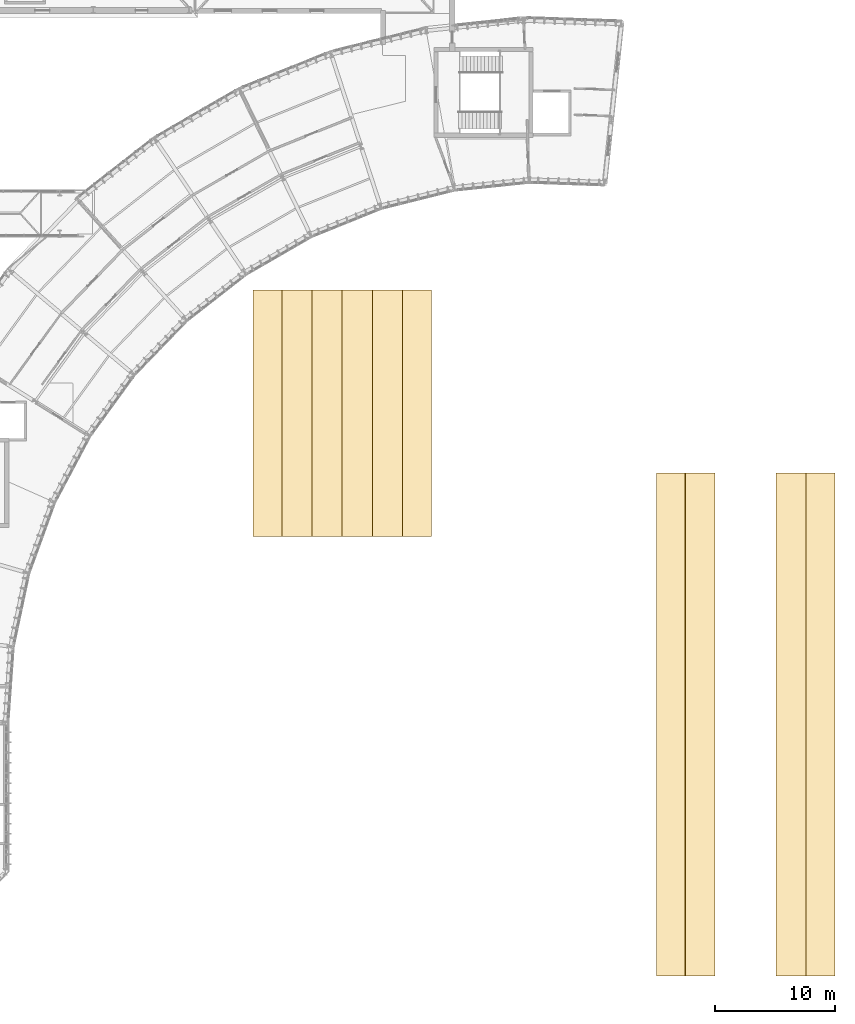
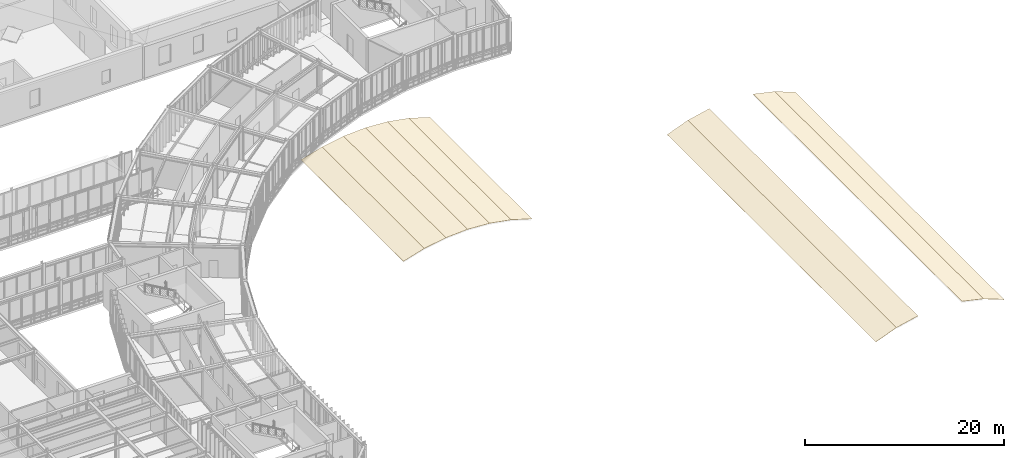
# One storey, part 53 of 57: 10 coverings.
"""IFC4 building model written with IfcOpenShell, lengths in metres."""

import ifcopenshell
import ifcopenshell.guid

model = None  # the IFC model being written
_history = None  # IfcOwnerHistory: only IFC2X3 demands one
_inside = {}  # id of a spatial element -> (the spatial element, [elements in it])
_under = {}  # id of a project, library or spatial element -> (it, [spatial elements below it])
_declared = {}  # id of a project -> (the project, [libraries it declares])
_typed = {}  # id of a type object -> (the type object, [elements of that type])
_made_of = {}  # id of a material, layer set ... -> (it, [elements and type objects made of it])


def new_model(schema):
    """Start an empty IFC model of exactly this schema.

    Asked for "IFC4X3", IfcOpenShell would pick the latest addendum, in which some entities
    have other attributes; the version numbers below select the first issue.
    IFC2X3 requires an IfcOwnerHistory on every rooted entity: one is made here for all.
    """
    global model, _history
    if schema == "IFC4X3":
        model = ifcopenshell.file(schema_version=(4, 3, 0, 0))
    else:
        model = ifcopenshell.file(schema=schema)
    _inside.clear()
    _under.clear()
    _declared.clear()
    _typed.clear()
    _made_of.clear()
    _history = None
    if model.schema == "IFC2X3":
        org = make("IfcOrganization", Name="unknown")
        user = make(
            "IfcPersonAndOrganization",
            ThePerson=make("IfcPerson", FamilyName="unknown"),
            TheOrganization=org,
        )
        app = make(
            "IfcApplication",
            ApplicationDeveloper=org,
            Version="unknown",
            ApplicationFullName="unknown",
            ApplicationIdentifier="unknown",
        )
        _history = make(
            "IfcOwnerHistory",
            OwningUser=user,
            OwningApplication=app,
            ChangeAction="ADDED",
            CreationDate=0,
        )
    return model


def make(cls, **values):
    """One entity of the class cls with the attributes given. An attribute that is None is left unset."""
    return model.create_entity(
        cls, **{name: value for name, value in values.items() if value is not None}
    )


def rooted(cls, **values):
    """An entity with a GlobalId (a new one), such as an element, a storey or a relation."""
    return make(cls, GlobalId=ifcopenshell.guid.new(), OwnerHistory=_history, **values)


def si_unit(unit_type, name, prefix=None):
    """IfcSIUnit, for example si_unit("LENGTHUNIT", "METRE", prefix="MILLI")."""
    return make("IfcSIUnit", UnitType=unit_type, Prefix=prefix, Name=name)


def assignment(units):
    """IfcUnitAssignment: the units of a project."""
    return None if units is None else make("IfcUnitAssignment", Units=units)


def point(xyz):
    """IfcCartesianPoint."""
    return None if xyz is None else make("IfcCartesianPoint", Coordinates=xyz)


def direction(xyz):
    """IfcDirection."""
    return None if xyz is None else make("IfcDirection", DirectionRatios=xyz)


def frame(location, z_axis=None, x_axis=None):
    """IfcAxis2Placement3D, a coordinate frame: its origin and axes. An axis left out is left unset."""
    return make(
        "IfcAxis2Placement3D",
        Location=point(location),
        Axis=direction(z_axis),
        RefDirection=direction(x_axis),
    )


def origin():
    """The frame at (0, 0, 0) with its axes left unset."""
    return frame((0.0, 0.0, 0.0))


def place(relative_to, where):
    """IfcLocalPlacement: puts the frame where relative to a parent placement (None: the world)."""
    return make(
        "IfcLocalPlacement", PlacementRelTo=relative_to, RelativePlacement=where
    )


def context(
    kind, dimensions, precision=None, world=None, true_north=None, identifier=None
):
    """IfcGeometricRepresentationContext, for example the 3D "Model" context."""
    return make(
        "IfcGeometricRepresentationContext",
        ContextIdentifier=identifier,
        ContextType=kind,
        CoordinateSpaceDimension=dimensions,
        Precision=precision,
        WorldCoordinateSystem=world,
        TrueNorth=true_north,
    )


def subcontext(parent, identifier, kind, view, scale=None):
    """IfcGeometricRepresentationSubContext, for example "Body" below "Model"."""
    return make(
        "IfcGeometricRepresentationSubContext",
        ContextIdentifier=identifier,
        ContextType=kind,
        ParentContext=parent,
        TargetScale=scale,
        TargetView=view,
    )


def project(units=None, contexts=None):
    """IfcProject with its units and contexts."""
    return rooted(
        "IfcProject",
        Name="project",
        RepresentationContexts=contexts,
        UnitsInContext=assignment(units),
    )


def spatial(cls, under=None, at=None, **own):
    """A site, building, storey or space (cls), placed at a placement, below another one or the project."""
    s = rooted(cls, ObjectPlacement=at, **own)
    if under is not None:
        _under.setdefault(under.id(), (under, []))[1].append(s)
    return s


def polyline(points):
    """IfcPolyline through the points."""
    return make("IfcPolyline", Points=[point(p) for p in points])


def outline(outer, holes=None, kind="AREA"):
    """IfcArbitraryClosedProfileDef: a profile drawn as a closed curve; with holes, ...WithVoids."""
    if holes is None:
        return make("IfcArbitraryClosedProfileDef", ProfileType=kind, OuterCurve=outer)
    return make(
        "IfcArbitraryProfileDefWithVoids",
        ProfileType=kind,
        OuterCurve=outer,
        InnerCurves=holes,
    )


def extrude(swept, where, along, depth):
    """IfcExtrudedAreaSolid: the profile swept, set in the frame where, extruded along a direction by depth."""
    return make(
        "IfcExtrudedAreaSolid",
        SweptArea=swept,
        Position=where,
        ExtrudedDirection=direction(along),
        Depth=depth,
    )


def shape(context_of_items, identifier, shape_type, items):
    """IfcShapeRepresentation: the items that make up one representation, for example the "Body"."""
    return make(
        "IfcShapeRepresentation",
        ContextOfItems=context_of_items,
        RepresentationIdentifier=identifier,
        RepresentationType=shape_type,
        Items=items,
    )


def material(Name=None, Category=None):
    """IfcMaterial."""
    return make("IfcMaterial", Name=Name, Category=Category)


def layer(
    of_material, thickness, ventilated=None, Name=None, Category=None, Priority=None
):
    """IfcMaterialLayer: one layer of a wall or slab, of a material (None: an air gap)."""
    return make(
        "IfcMaterialLayer",
        Material=of_material,
        LayerThickness=thickness,
        IsVentilated=ventilated,
        Name=Name,
        Category=Category,
        Priority=Priority,
    )


def layer_set(layers, Name=None):
    """IfcMaterialLayerSet."""
    return make("IfcMaterialLayerSet", MaterialLayers=layers, LayerSetName=Name)


def made_of(thing, what):
    """Note that an element or type object is made of a material, layer set ...; save() writes the relation."""
    if what is not None:
        _made_of.setdefault(what.id(), (what, []))[1].append(thing)
    return thing


def type_object(cls, material=None, **own):
    """A type object (cls), such as IfcWallType, which elements share."""
    return made_of(rooted(cls, **own), material)


def element(
    cls,
    number,
    at=None,
    inside=None,
    cuts=None,
    type_object=None,
    material=None,
    context=None,
    identifier="Body",
    shape_type=None,
    held_by="IfcProductDefinitionShape",
    body=None,
    shapes=None,
    **own,
):
    """One element of the class cls, such as IfcWall. Its Tag is "e" and its number.

    at: its placement. inside: the storey or other place that contains it. cuts: it is an
    opening in that element (IfcRelVoidsElement). A single representation is given by context,
    identifier, shape_type and body (its items); several are given by shapes. held_by: the class
    of the entity that holds the representations. save() writes the other relations.
    """
    e = rooted(cls, Tag="e%d" % number, ObjectPlacement=at, **own)
    if body is not None:
        shapes = [shape(context, identifier, shape_type, body)]
    if shapes is not None:
        e.Representation = make(held_by, Representations=shapes)
    if inside is not None:
        _inside.setdefault(inside.id(), (inside, []))[1].append(e)
    if cuts is not None:
        rooted(
            "IfcRelVoidsElement", RelatingBuildingElement=cuts, RelatedOpeningElement=e
        )
    if type_object is not None:
        _typed.setdefault(type_object.id(), (type_object, []))[1].append(e)
    return made_of(e, material)


def aggregate(whole, parts):
    """IfcRelAggregates: a whole, such as a stair, and the parts it consists of."""
    return rooted("IfcRelAggregates", RelatingObject=whole, RelatedObjects=parts)


def save(model, path):
    """Write the relations noted so far, then the file.

    IfcRelAggregates (storeys below a building ...), IfcRelContainedInSpatialStructure (elements
    in a storey), IfcRelDefinesByType, IfcRelAssociatesMaterial and IfcRelDeclares: one each for
    every whole, place, type object, material and project.
    """
    for whole, parts in _under.values():
        aggregate(whole, parts)
    for where, things in _inside.values():
        rooted(
            "IfcRelContainedInSpatialStructure",
            RelatedElements=things,
            RelatingStructure=where,
        )
    for kind, things in _typed.values():
        rooted("IfcRelDefinesByType", RelatedObjects=things, RelatingType=kind)
    for what, things in _made_of.values():
        rooted("IfcRelAssociatesMaterial", RelatedObjects=things, RelatingMaterial=what)
    for by, libraries in _declared.values():
        rooted("IfcRelDeclares", RelatingContext=by, RelatedDefinitions=libraries)
    model.write(path)


model = new_model("IFC4")

# Units and contexts
model_context = context("Model", 3, precision=1e-05, world=origin(), true_north=direction((0.0, 1.0)))
body_context = subcontext(model_context, "Body", "Model", "MODEL_VIEW")
ifc_project = project(units=[si_unit("LENGTHUNIT", "METRE"), si_unit("AREAUNIT", "SQUARE_METRE"), si_unit("VOLUMEUNIT", "CUBIC_METRE"), si_unit("PLANEANGLEUNIT", "RADIAN"), si_unit("MASSUNIT", "GRAM", prefix="KILO"), si_unit("THERMODYNAMICTEMPERATUREUNIT", "KELVIN"), si_unit("POWERUNIT", "WATT")], contexts=[model_context])

# Site, building, storey
site_placement = place(None, origin())
site = spatial("IfcSite", under=ifc_project, at=site_placement, CompositionType="ELEMENT")
building_placement = place(site_placement, origin())
building = spatial("IfcBuilding", under=site, at=building_placement, Name="Solvatero Civic Police Headquarters", CompositionType="ELEMENT")
storey_placement = place(building_placement, frame((0.0, 0.0, 9.300048828125)))
storey = spatial("IfcBuildingStorey", under=building, at=storey_placement, Name="L02", CompositionType="ELEMENT", Elevation=9.300048828125)

# Coverings
ifc_material = material(Name="Anodized Bronze Aluminium", Category="aluminium")
ifc_layer = layer(ifc_material, 0.0400390625)
ifc_layer_set = layer_set([ifc_layer], Name="Anodized Bronze Aluminium")
covering_type = type_object("IfcCoveringType", Name="COV-RF-ZINC", PredefinedType="ROOFING", material=ifc_layer_set)
covering_1_placement = place(storey_placement, frame((103.053466796875, 4.800048828125, 2.872314453125), z_axis=(-0.359036544751, 0.0, 0.933323502079), x_axis=(0.933323502079, 0.0, 0.359036544751)))
element("IfcCovering", 1, at=covering_1_placement, inside=storey, type_object=covering_type, Name="VLT1 Standing-Seam Vault Roof Covering 3", PredefinedType="ROOFING", context=body_context, shape_type="SweptSolid", body=[
    extrude(outline(polyline([(0.0, 0.0), (2.5621956551481704, 0.0), (2.5621956551481704, 42.0), (0.0, 42.0), (0.0, 0.0)])), origin(), (0.0, 0.0, -1.0), 0.0400390625),
])
for number, where, z_axis, x_axis, name in (
    (2, (105.44482421875, 4.800048828125, 3.792236328125), (-0.218514332417, 0.0, 0.975833739183), (0.975833739183, 0.0, 0.218514332417), "VLT1 Standing-Seam Vault Roof Covering 4"),
    (3, (113.05517578125, 4.800048828125, 4.35205078125), (0.218514332417, 0.0, 0.975833739183), (0.975833739183, 0.0, -0.218514332417), "VLT1 Standing-Seam Vault Roof Covering 7"),
):
    element("IfcCovering", number, at=place(storey_placement, frame(where, z_axis=z_axis, x_axis=x_axis)), inside=storey, type_object=covering_type, Name=name, PredefinedType="ROOFING", context=body_context, shape_type="SweptSolid", body=[
        extrude(outline(polyline([(0.0, 0.0), (2.5619118294601093, 0.0), (2.5619118294601093, 42.00000000000001), (0.0, 42.00000000000001), (0.0, 0.0)])), origin(), (0.0, 0.0, -1.0), 0.0400390625),
    ])
covering_2_placement = place(storey_placement, frame((115.55517578125, 4.800048828125, 3.792236328125), z_axis=(0.359036544751, 0.0, 0.933323502079), x_axis=(0.933323502079, 0.0, -0.359036544751)))
element("IfcCovering", 4, at=covering_2_placement, inside=storey, type_object=covering_type, Name="VLT1 Standing-Seam Vault Roof Covering 8", PredefinedType="ROOFING", context=body_context, shape_type="SweptSolid", body=[
    extrude(outline(polyline([(0.0, 0.0), (2.5621956551481704, 0.0), (2.5621956551481704, 42.0), (0.0, 42.0), (0.0, 0.0)])), origin(), (0.0, 0.0, -1.0), 0.0400390625),
])
covering_3_placement = place(storey_placement, frame((69.330078125, 41.5, 2.320068359375), z_axis=(-0.287391975958, 0.0, 0.957813056997), x_axis=(0.957813056997, 0.0, 0.287391975958)))
element("IfcCovering", 5, at=covering_3_placement, inside=storey, type_object=covering_type, Name="VLT2 Standing-Seam Vault Roof Covering 3", PredefinedType="ROOFING", context=body_context, shape_type="SweptSolid", body=[
    extrude(outline(polyline([(0.0, 0.0), (2.5400168752672907, 0.0), (2.5400168752672907, 20.580078125), (0.0, 20.580078125), (0.0, 0.0)])), origin(), (0.0, 0.0, -1.0), 0.0400390625),
])
covering_4_placement = place(storey_placement, frame((71.762939453125, 41.5, 3.050048828125), z_axis=(-0.173977248112, 0.0, 0.984749672323), x_axis=(0.984749672323, 0.0, 0.173977248112)))
element("IfcCovering", 6, at=covering_4_placement, inside=storey, type_object=covering_type, Name="VLT2 Standing-Seam Vault Roof Covering 4", PredefinedType="ROOFING", context=body_context, shape_type="SweptSolid", body=[
    extrude(outline(polyline([(0.0, 0.0), (2.5399558623113467, 0.0), (2.5399558623113467, 20.580078125000004), (0.0, 20.580078125000004), (0.0, 0.0)])), origin(), (0.0, 0.0, -1.0), 0.0400390625),
])
covering_5_placement = place(storey_placement, frame((74.26416015625, 41.5, 3.491943359375), z_axis=(-0.058243118494, 0.0, 0.9983024287), x_axis=(0.9983024287, 0.0, 0.058243118494)))
element("IfcCovering", 7, at=covering_5_placement, inside=storey, type_object=covering_type, Name="VLT2 Standing-Seam Vault Roof Covering 5", PredefinedType="ROOFING", context=body_context, shape_type="SweptSolid", body=[
    extrude(outline(polyline([(0.0, 0.0), (2.540200843924095, 0.0), (2.540200843924095, 20.580078125), (0.0, 20.580078125), (0.0, 0.0)])), origin(), (0.0, 0.0, -1.0), 0.0400390625),
])
covering_6_placement = place(storey_placement, frame((76.800048828125, 41.5, 3.639892578125), z_axis=(0.058248707316, 0.0, 0.99830210262), x_axis=(0.99830210262, 0.0, -0.058248707316)))
element("IfcCovering", 8, at=covering_6_placement, inside=storey, type_object=covering_type, Name="VLT2 Standing-Seam Vault Roof Covering 6", PredefinedType="ROOFING", context=body_context, shape_type="SweptSolid", body=[
    extrude(outline(polyline([(0.0, 0.0), (2.5399571177850166, 0.0), (2.5399571177850166, 20.580078125), (0.0, 20.580078125), (0.0, 0.0)])), origin(), (0.0, 0.0, -1.0), 0.0400390625),
])
covering_7_placement = place(storey_placement, frame((79.335693359375, 41.5, 3.491943359375), z_axis=(0.173960781975, 0.0, 0.984752581279), x_axis=(0.984752581279, 0.0, -0.173960781975)))
element("IfcCovering", 9, at=covering_7_placement, inside=storey, type_object=covering_type, Name="VLT2 Standing-Seam Vault Roof Covering 7", PredefinedType="ROOFING", context=body_context, shape_type="SweptSolid", body=[
    extrude(outline(polyline([(0.0, 0.0), (2.5401962800669304, 0.0), (2.5401962800669304, 20.580078125), (0.0, 20.580078125), (0.0, 0.0)])), origin(), (0.0, 0.0, -1.0), 0.0400390625),
])
covering_8_placement = place(storey_placement, frame((81.837158203125, 41.5, 3.050048828125), z_axis=(0.287391975958, 0.0, 0.957813056997), x_axis=(0.957813056997, 0.0, -0.287391975958)))
element("IfcCovering", 10, at=covering_8_placement, inside=storey, type_object=covering_type, Name="VLT2 Standing-Seam Vault Roof Covering 8", PredefinedType="ROOFING", context=body_context, shape_type="SweptSolid", body=[
    extrude(outline(polyline([(0.0, 0.0), (2.5400168752672907, 0.0), (2.5400168752672907, 20.580078125), (0.0, 20.580078125), (0.0, 0.0)])), origin(), (0.0, 0.0, -1.0), 0.0400390625),
])

save(model, "model.ifc")
